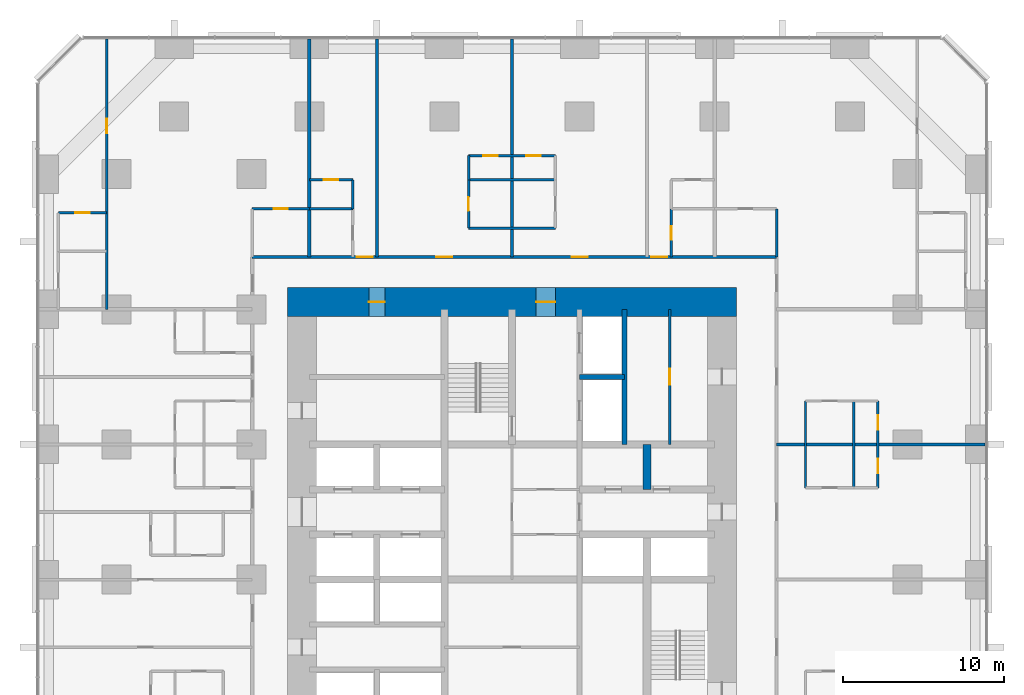
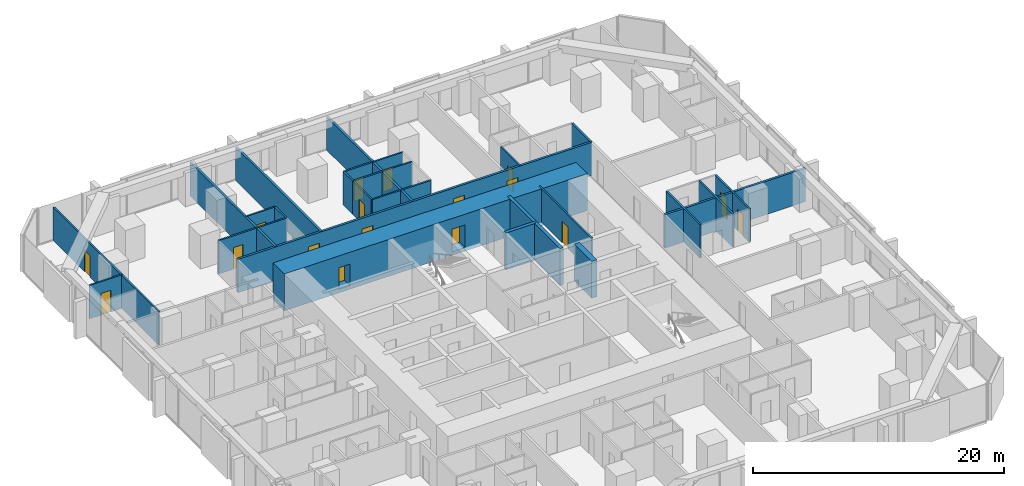
# One storey, part 15 of 17: 26 walls, 17 doors, 17 openings.
"""IFC4 building model written with IfcOpenShell, lengths in metres."""

from ifc_helpers import new_model, si_unit, direction, frame, frame_2d, origin, place, context, subcontext, project, spatial, rectangle, extrude, material, layer, layer_set, type_object, element, fill, save


model = new_model("IFC4")

# Units and contexts
model_context = context("Model", 3, precision=1e-05, world=origin(), true_north=direction((0.0, 1.0)))
body_context = subcontext(model_context, "Body", "Model", "MODEL_VIEW")
ifc_project = project(units=[si_unit("LENGTHUNIT", "METRE"), si_unit("AREAUNIT", "SQUARE_METRE"), si_unit("VOLUMEUNIT", "CUBIC_METRE"), si_unit("PLANEANGLEUNIT", "RADIAN"), si_unit("MASSUNIT", "GRAM", prefix="KILO")], contexts=[model_context])

# Site, building, storey
site_placement = place(None, origin())
site = spatial("IfcSite", under=ifc_project, at=site_placement, CompositionType="ELEMENT")
building_placement = place(site_placement, origin())
building = spatial("IfcBuilding", under=site, at=building_placement, Name="Dunama Terrace Hotel", CompositionType="ELEMENT")
storey_placement = place(building_placement, frame((0.0, 0.0, 34.199951171875)))
storey = spatial("IfcBuildingStorey", under=building, at=storey_placement, Name="L07", CompositionType="ELEMENT", Elevation=34.199951171875)

# Wall, opening, door
ifc_material_1 = material(Name="Gypsum board partition", Category="masonry")
ifc_layer_1 = layer(ifc_material_1, 0.14990234375)
ifc_layer_set_1 = layer_set([ifc_layer_1], Name="Bathroom partition 150")
wall_type_1 = type_object("IfcWallType", Name="Bathroom partition 150", PredefinedType="PARTITIONING", material=ifc_layer_set_1)
wall_1_placement = place(storey_placement, frame((26.699951171875, 47.050048828125, 0.0), z_axis=(0.0, 0.0, 1.0), x_axis=(0.0, 1.0, 0.0)))
wall_1 = element("IfcWall", 1, at=wall_1_placement, inside=storey, type_object=wall_type_1, Name="Bathroom partition 150 L07", PredefinedType="PARTITIONING", context=body_context, shape_type="SweptSolid", body=[
    extrude(rectangle(XDim=3.0, YDim=0.14990234375, at=frame_2d((1.5, 0.0))), origin(), (0.0, 0.0, 1.0), 3.25),
])
opening_1_placement = place(wall_1_placement, frame((1.074951171875, 0.0, 0.0)))
opening_1 = element("IfcOpeningElement", 2, at=opening_1_placement, cuts=wall_1, Name="Opening L07-09-034", PredefinedType="OPENING", context=body_context, shape_type="SweptSolid", body=[
    extrude(rectangle(XDim=0.85009765625, YDim=2.10009765625, at=frame_2d((0.425048828125, 1.050048828125))), frame((0.0, 0.0849609375, 0.0), z_axis=(0.0, -1.0, 0.0), x_axis=(1.0, 0.0, 0.0)), (0.0, 0.0, 1.0), 0.169921875),
])
ifc_material_2 = material(Name="Timber door with steel frame", Category="steel")
door_type_1 = type_object("IfcDoorType", Name="Bathroom door 850", OperationType="SINGLE_SWING_LEFT", PredefinedType="DOOR", material=ifc_material_2)
door_1_placement = place(opening_1_placement, frame((0.85009765625, 0.0, 0.0), z_axis=(0.0, 0.0, 1.0), x_axis=(-1.0, 0.0, 0.0)))
door_1 = element("IfcDoor", 3, at=door_1_placement, inside=storey, type_object=door_type_1, Name="Door to en-suite bathroom L07-09-034, type D2", OperationType="SINGLE_SWING_LEFT", OverallHeight=2.10009765625, OverallWidth=0.85009765625, PredefinedType="DOOR", context=body_context, shape_type="SweptSolid", body=[
    extrude(rectangle(XDim=0.85009765625, YDim=2.10009765625, at=frame_2d((0.425048828125, 1.050048828125))), frame((0.0, 0.025146484375, 0.0), z_axis=(0.0, -1.0, 0.0), x_axis=(1.0, 0.0, 0.0)), (0.0, 0.0, 1.0), 0.050048828125),
])
fill(opening_1, door_1)

wall_2_placement = place(storey_placement, frame((39.300048828125, 45.25, 0.0), z_axis=(0.0, 0.0, 1.0), x_axis=(0.0, 1.0, 0.0)))
wall_2 = element("IfcWall", 4, at=wall_2_placement, inside=storey, type_object=wall_type_1, Name="Bathroom partition 150 L07", PredefinedType="PARTITIONING", context=body_context, shape_type="SweptSolid", body=[
    extrude(rectangle(XDim=3.0, YDim=0.14990234375, at=frame_2d((1.5, 0.0))), origin(), (0.0, 0.0, 1.0), 3.25),
])
opening_2_placement = place(wall_2_placement, frame((1.074951171875, 0.0, 0.0)))
opening_2 = element("IfcOpeningElement", 5, at=opening_2_placement, cuts=wall_2, Name="Opening L07-09-040", PredefinedType="OPENING", context=body_context, shape_type="SweptSolid", body=[
    extrude(rectangle(XDim=0.85009765625, YDim=2.10009765625, at=frame_2d((0.425048828125, 1.050048828125))), frame((0.0, 0.0849609375, 0.0), z_axis=(0.0, -1.0, 0.0), x_axis=(1.0, 0.0, 0.0)), (0.0, 0.0, 1.0), 0.169921875),
])
door_2_placement = place(opening_2_placement, frame((0.85009765625, 0.0, 0.0), z_axis=(0.0, 0.0, 1.0), x_axis=(-1.0, 0.0, 0.0)))
door_2 = element("IfcDoor", 6, at=door_2_placement, inside=storey, type_object=door_type_1, Name="Door to en-suite bathroom L07-09-040, type D2", OperationType="SINGLE_SWING_RIGHT", OverallHeight=2.10009765625, OverallWidth=0.85009765625, PredefinedType="DOOR", context=body_context, shape_type="SweptSolid", body=[
    extrude(rectangle(XDim=0.85009765625, YDim=2.10009765625, at=frame_2d((0.425048828125, 1.050048828125))), frame((0.0, 0.025146484375, 0.0), z_axis=(0.0, -1.0, 0.0), x_axis=(1.0, 0.0, 0.0)), (0.0, 0.0, 1.0), 0.050048828125),
])
fill(opening_2, door_2)

# Walls
wall_3_placement = place(storey_placement, frame((45.85009765625, 45.25, 0.0), z_axis=(0.0, 0.0, 1.0), x_axis=(0.0, 1.0, 0.0)))
element("IfcWall", 7, at=wall_3_placement, inside=storey, type_object=wall_type_1, Name="Bathroom partition 150 L07", PredefinedType="PARTITIONING", context=body_context, shape_type="SweptSolid", body=[
    extrude(rectangle(XDim=3.0, YDim=0.14990234375, at=frame_2d((1.5, 0.0))), origin(), (0.0, 0.0, 1.0), 3.25),
])
for number, where, z_axis, x_axis, name in (
    (8, (47.64990234375, 30.89990234375, 0.0), (0.0, 0.0, 1.0), (0.0, 1.0, 0.0), "Bathroom partition 150 L07"),
    (9, (26.699951171875, 47.050048828125, 0.0), (0.0, 0.0, 1.0), (1.0, 0.0, 0.0), "Bathroom partition 150 L07"),
):
    element("IfcWall", number, at=place(storey_placement, frame(where, z_axis=z_axis, x_axis=x_axis)), inside=storey, type_object=wall_type_1, Name=name, PredefinedType="PARTITIONING", context=body_context, shape_type="SweptSolid", body=[
        extrude(rectangle(XDim=5.400146484375, YDim=0.14990234375, at=frame_2d((2.7001953125, 0.0))), origin(), (0.0, 0.0, 1.0), 3.25),
    ])

# Wall, opening, door
wall_4_placement = place(storey_placement, frame((13.25, 48.25, 0.0), z_axis=(0.0, 0.0, 1.0), x_axis=(1.0, 0.0, 0.0)))
wall_4 = element("IfcWall", 10, at=wall_4_placement, inside=storey, type_object=wall_type_1, Name="Bathroom partition 150 L07", PredefinedType="PARTITIONING", context=body_context, shape_type="SweptSolid", body=[
    extrude(rectangle(XDim=3.550048828125, YDim=0.14990234375, at=frame_2d((1.77490234375, 0.0))), origin(), (0.0, 0.0, 1.0), 3.25),
])
opening_3_placement = place(wall_4_placement, frame((1.35009765625, 0.0, 0.0)))
opening_3 = element("IfcOpeningElement", 11, at=opening_3_placement, cuts=wall_4, Name="Opening L07-09-074", PredefinedType="OPENING", context=body_context, shape_type="SweptSolid", body=[
    extrude(rectangle(XDim=0.85009765625, YDim=2.10009765625, at=frame_2d((0.425048828125, 1.050048828125))), frame((0.0, 0.0849609375, 0.0), z_axis=(0.0, -1.0, 0.0), x_axis=(1.0, 0.0, 0.0)), (0.0, 0.0, 1.0), 0.169921875),
])
door_3_placement = place(opening_3_placement, frame((0.85009765625, 0.0, 0.0), z_axis=(0.0, 0.0, 1.0), x_axis=(-1.0, 0.0, 0.0)))
door_3 = element("IfcDoor", 12, at=door_3_placement, inside=storey, type_object=door_type_1, Name="Door to powder room L07-09-074, type D2", OperationType="SINGLE_SWING_LEFT", OverallHeight=2.10009765625, OverallWidth=0.85009765625, PredefinedType="DOOR", context=body_context, shape_type="SweptSolid", body=[
    extrude(rectangle(XDim=0.85009765625, YDim=2.10009765625, at=frame_2d((0.425048828125, 1.050048828125))), frame((0.0, 0.025146484375, 0.0), z_axis=(0.0, -1.0, 0.0), x_axis=(1.0, 0.0, 0.0)), (0.0, 0.0, 1.0), 0.050048828125),
])
fill(opening_3, door_3)

# Walls
ifc_material_3 = material(Name="Concrete C50/60", Category="concrete")
ifc_layer_2 = layer(ifc_material_3, 0.300048828125)
ifc_layer_set_2 = layer_set([ifc_layer_2], Name="Core inner wall 300")
wall_type_2 = type_object("IfcWallType", Name="Core inner wall 300", PredefinedType="SHEAR", material=ifc_layer_set_2)
wall_5_placement = place(storey_placement, frame((36.39990234375, 33.60009765625, -0.349853515625), z_axis=(0.0, 0.0, 1.0), x_axis=(0.0, 1.0, 0.0)))
element("IfcWall", 13, at=wall_5_placement, inside=storey, type_object=wall_type_2, Name="Core inner wall 300 L07", PredefinedType="SHEAR", context=body_context, shape_type="SweptSolid", body=[
    extrude(rectangle(XDim=8.39990234375, YDim=0.300048828125, at=frame_2d((4.199951171875, 0.0))), origin(), (0.0, 0.0, 1.0), 3.599853515625),
])
wall_6_placement = place(storey_placement, frame((33.60009765625, 37.800048828125, -0.349853515625), z_axis=(0.0, 0.0, 1.0), x_axis=(1.0, 0.0, 0.0)))
element("IfcWall", 14, at=wall_6_placement, inside=storey, type_object=wall_type_2, Name="Core inner wall 300 L07", PredefinedType="SHEAR", context=body_context, shape_type="SweptSolid", body=[
    extrude(rectangle(XDim=2.7998046875, YDim=0.300048828125, at=frame_2d((1.39990234375, 0.0))), origin(), (0.0, 0.0, 1.0), 3.599853515625),
])
ifc_material_4 = material(Name="Concrete C50/60", Category="concrete")
ifc_layer_3 = layer(ifc_material_4, 0.5)
ifc_layer_set_3 = layer_set([ifc_layer_3], Name="Core inner wall 500")
wall_type_3 = type_object("IfcWallType", Name="Core inner wall 500", PredefinedType="SHEAR", material=ifc_layer_set_3)
wall_7_placement = place(storey_placement, frame((37.800048828125, 30.800048828125, -0.349853515625), z_axis=(0.0, 0.0, 1.0), x_axis=(0.0, 1.0, 0.0)))
element("IfcWall", 15, at=wall_7_placement, inside=storey, type_object=wall_type_3, Name="Core inner wall 500 L07", PredefinedType="SHEAR", context=body_context, shape_type="SweptSolid", body=[
    extrude(rectangle(XDim=2.800048828125, YDim=0.5, at=frame_2d((1.39990234375, 0.0))), origin(), (0.0, 0.0, 1.0), 3.599853515625),
])

# Wall, openings, doors
ifc_material_5 = material(Name="Concrete C60/75", Category="concrete")
ifc_layer_4 = layer(ifc_material_5, 1.800048828125)
ifc_layer_set_4 = layer_set([ifc_layer_4], Name="Core wall 1800")
wall_type_4 = type_object("IfcWallType", Name="Core wall 1800", PredefinedType="SHEAR", material=ifc_layer_set_4)
wall_8_placement = place(storey_placement, frame((43.35009765625, 42.449951171875, -0.349853515625), z_axis=(0.0, 0.0, 1.0), x_axis=(-1.0, 0.0, 0.0)))
wall_8 = element("IfcWall", 16, at=wall_8_placement, inside=storey, type_object=wall_type_4, Name="Core wall north L07", PredefinedType="SHEAR", context=body_context, shape_type="SweptSolid", body=[
    extrude(rectangle(XDim=27.900146484375, YDim=1.800048828125, at=frame_2d((13.9501953125, 0.0))), origin(), (0.0, 0.0, 1.0), 3.599853515625),
])
opening_4_placement = place(wall_8_placement, frame((21.85009765625, 0.0, 0.35009765625)))
opening_4 = element("IfcOpeningElement", 17, at=opening_4_placement, cuts=wall_8, Name="Opening L07-09-081", PredefinedType="OPENING", context=body_context, shape_type="SweptSolid", body=[
    extrude(rectangle(XDim=1.0, YDim=2.10009765625, at=frame_2d((0.5, 1.050048828125))), frame((0.0, 0.909912109375, 0.0), z_axis=(0.0, -1.0, 0.0), x_axis=(1.0, 0.0, 0.0)), (0.0, 0.0, 1.0), 1.820068359375),
])
opening_5_placement = place(wall_8_placement, frame((11.25, 0.0, 0.35009765625)))
opening_5 = element("IfcOpeningElement", 18, at=opening_5_placement, cuts=wall_8, Name="Opening L07-09-089", PredefinedType="OPENING", context=body_context, shape_type="SweptSolid", body=[
    extrude(rectangle(XDim=1.199951171875, YDim=2.199951171875, at=frame_2d((0.60009765625, 1.10009765625))), frame((0.0, 0.909912109375, 0.0), z_axis=(0.0, -1.0, 0.0), x_axis=(1.0, 0.0, 0.0)), (0.0, 0.0, 1.0), 1.820068359375),
])
ifc_material_6 = material(Name="Timber door with steel frame", Category="steel")
door_type_2 = type_object("IfcDoorType", Name="Firefighting lobby door 1200", OperationType="SINGLE_SWING_LEFT", PredefinedType="DOOR", material=ifc_material_6)
door_4_placement = place(opening_5_placement, origin())
door_4 = element("IfcDoor", 19, at=door_4_placement, inside=storey, type_object=door_type_2, Name="Door to firefighting lobby L07-09-089, type D4", OperationType="SINGLE_SWING_RIGHT", OverallHeight=2.199951171875, OverallWidth=1.199951171875, PredefinedType="DOOR", context=body_context, shape_type="SweptSolid", body=[
    extrude(rectangle(XDim=1.199951171875, YDim=2.199951171875, at=frame_2d((0.60009765625, 1.10009765625))), frame((0.0, 0.02490234375, 0.0), z_axis=(0.0, -1.0, 0.0), x_axis=(1.0, 0.0, 0.0)), (0.0, 0.0, 1.0), 0.050048828125),
])
fill(opening_5, door_4)
ifc_material_7 = material(Name="Timber door with steel frame", Category="steel")
door_type_3 = type_object("IfcDoorType", Name="Service door 1000", OperationType="SINGLE_SWING_LEFT", PredefinedType="DOOR", material=ifc_material_7)
door_5_placement = place(opening_4_placement, origin())
door_5 = element("IfcDoor", 20, at=door_5_placement, inside=storey, type_object=door_type_3, Name="Door to communications and riser room L07-09-081, type D7", OperationType="SINGLE_SWING_LEFT", OverallHeight=2.10009765625, OverallWidth=1.0, PredefinedType="DOOR", context=body_context, shape_type="SweptSolid", body=[
    extrude(rectangle(XDim=1.0, YDim=2.10009765625, at=frame_2d((0.5, 1.050048828125))), frame((0.0, 0.02490234375, 0.0), z_axis=(0.0, -1.0, 0.0), x_axis=(1.0, 0.0, 0.0)), (0.0, 0.0, 1.0), 0.050048828125),
])
fill(opening_4, door_5)

ifc_material_8 = material(Name="Concrete blockwork", Category="masonry")
ifc_layer_5 = layer(ifc_material_8, 0.199951171875)
ifc_layer_set_5 = layer_set([ifc_layer_5], Name="Corridor partition 200")
wall_type_5 = type_object("IfcWallType", Name="Corridor partition 200", PredefinedType="PARTITIONING", material=ifc_layer_set_5)
wall_9_placement = place(storey_placement, frame((13.25, 45.25, 0.0), z_axis=(0.0, 0.0, 1.0), x_axis=(1.0, 0.0, 0.0)))
wall_9 = element("IfcWall", 21, at=wall_9_placement, inside=storey, type_object=wall_type_5, Name="Corridor partition 200 L07", PredefinedType="PARTITIONING", context=body_context, shape_type="SweptSolid", body=[
    extrude(rectangle(XDim=32.60009765625, YDim=0.199951171875, at=frame_2d((16.300048828125, 0.0))), origin(), (0.0, 0.0, 1.0), 3.25),
])
opening_6_placement = place(wall_9_placement, frame((6.5, 0.0, 0.0)))
opening_6 = element("IfcOpeningElement", 22, at=opening_6_placement, cuts=wall_9, Name="Opening L07-09-030", PredefinedType="OPENING", context=body_context, shape_type="SweptSolid", body=[
    extrude(rectangle(XDim=1.0, YDim=2.199951171875, at=frame_2d((0.5, 1.10009765625))), frame((0.0, 0.10986328125, 0.0), z_axis=(0.0, -1.0, 0.0), x_axis=(1.0, 0.0, 0.0)), (0.0, 0.0, 1.0), 0.219970703125),
])
opening_7_placement = place(wall_9_placement, frame((11.449951171875, 0.0, 0.0)))
opening_7 = element("IfcOpeningElement", 23, at=opening_7_placement, cuts=wall_9, Name="Opening L07-09-033", PredefinedType="OPENING", context=body_context, shape_type="SweptSolid", body=[
    extrude(rectangle(XDim=1.0, YDim=2.199951171875, at=frame_2d((0.5, 1.10009765625))), frame((0.0, 0.10986328125, 0.0), z_axis=(0.0, -1.0, 0.0), x_axis=(1.0, 0.0, 0.0)), (0.0, 0.0, 1.0), 0.219970703125),
])
opening_8_placement = place(wall_9_placement, frame((19.85009765625, 0.0, 0.0)))
opening_8 = element("IfcOpeningElement", 24, at=opening_8_placement, cuts=wall_9, Name="Opening L07-09-036", PredefinedType="OPENING", context=body_context, shape_type="SweptSolid", body=[
    extrude(rectangle(XDim=1.0, YDim=2.199951171875, at=frame_2d((0.5, 1.10009765625))), frame((0.0, 0.10986328125, 0.0), z_axis=(0.0, -1.0, 0.0), x_axis=(1.0, 0.0, 0.0)), (0.0, 0.0, 1.0), 0.219970703125),
])
opening_9_placement = place(wall_9_placement, frame((24.800048828125, 0.0, 0.0)))
opening_9 = element("IfcOpeningElement", 25, at=opening_9_placement, cuts=wall_9, Name="Opening L07-09-039", PredefinedType="OPENING", context=body_context, shape_type="SweptSolid", body=[
    extrude(rectangle(XDim=1.0, YDim=2.199951171875, at=frame_2d((0.5, 1.10009765625))), frame((0.0, 0.10986328125, 0.0), z_axis=(0.0, -1.0, 0.0), x_axis=(1.0, 0.0, 0.0)), (0.0, 0.0, 1.0), 0.219970703125),
])
ifc_material_9 = material(Name="Timber door with steel frame", Category="steel")
door_type_4 = type_object("IfcDoorType", Name="Guest room door 1000", OperationType="SINGLE_SWING_LEFT", PredefinedType="DOOR", material=ifc_material_9)
door_6_placement = place(opening_6_placement, origin())
door_6 = element("IfcDoor", 26, at=door_6_placement, inside=storey, type_object=door_type_4, Name="Door to deluxe room L07-09-030, type D1", OperationType="SINGLE_SWING_RIGHT", OverallHeight=2.199951171875, OverallWidth=1.0, PredefinedType="DOOR", context=body_context, shape_type="SweptSolid", body=[
    extrude(rectangle(XDim=1.0, YDim=2.199951171875, at=frame_2d((0.5, 1.10009765625))), frame((0.0, 0.02490234375, 0.0), z_axis=(0.0, -1.0, 0.0), x_axis=(1.0, 0.0, 0.0)), (0.0, 0.0, 1.0), 0.050048828125),
])
fill(opening_6, door_6)
door_7_placement = place(opening_7_placement, origin())
door_7 = element("IfcDoor", 27, at=door_7_placement, inside=storey, type_object=door_type_4, Name="Door to junior suite L07-09-033, type D1", OperationType="SINGLE_SWING_RIGHT", OverallHeight=2.199951171875, OverallWidth=1.0, PredefinedType="DOOR", context=body_context, shape_type="SweptSolid", body=[
    extrude(rectangle(XDim=1.0, YDim=2.199951171875, at=frame_2d((0.5, 1.10009765625))), frame((0.0, 0.02490234375, 0.0), z_axis=(0.0, -1.0, 0.0), x_axis=(1.0, 0.0, 0.0)), (0.0, 0.0, 1.0), 0.050048828125),
])
fill(opening_7, door_7)
door_8_placement = place(opening_8_placement, origin())
door_8 = element("IfcDoor", 28, at=door_8_placement, inside=storey, type_object=door_type_4, Name="Door to junior suite L07-09-036, type D1", OperationType="SINGLE_SWING_LEFT", OverallHeight=2.199951171875, OverallWidth=1.0, PredefinedType="DOOR", context=body_context, shape_type="SweptSolid", body=[
    extrude(rectangle(XDim=1.0, YDim=2.199951171875, at=frame_2d((0.5, 1.10009765625))), frame((0.0, 0.02490234375, 0.0), z_axis=(0.0, -1.0, 0.0), x_axis=(1.0, 0.0, 0.0)), (0.0, 0.0, 1.0), 0.050048828125),
])
fill(opening_8, door_8)
door_9_placement = place(opening_9_placement, origin())
door_9 = element("IfcDoor", 29, at=door_9_placement, inside=storey, type_object=door_type_4, Name="Door to deluxe room L07-09-039, type D1", OperationType="SINGLE_SWING_LEFT", OverallHeight=2.199951171875, OverallWidth=1.0, PredefinedType="DOOR", context=body_context, shape_type="SweptSolid", body=[
    extrude(rectangle(XDim=1.0, YDim=2.199951171875, at=frame_2d((0.5, 1.10009765625))), frame((0.0, 0.02490234375, 0.0), z_axis=(0.0, -1.0, 0.0), x_axis=(1.0, 0.0, 0.0)), (0.0, 0.0, 1.0), 0.050048828125),
])
fill(opening_9, door_9)

# Walls
ifc_material_10 = material(Name="Concrete blockwork", Category="masonry")
ifc_layer_6 = layer(ifc_material_10, 0.199951171875)
ifc_layer_set_6 = layer_set([ifc_layer_6], Name="Party wall 200")
wall_type_6 = type_object("IfcWallType", Name="Party wall 200", PredefinedType="PARTITIONING", material=ifc_layer_set_6)
for number, where, z_axis, x_axis, name in (
    (30, (16.800048828125, 45.25, 0.0), (0.0, 0.0, 1.0), (0.0, 1.0, 0.0), "Party wall 200 L07"),
    (31, (21.0, 45.25, 0.0), (0.0, 0.0, 1.0), (0.0, 1.0, 0.0), "Party wall 200 L07"),
    (32, (29.39990234375, 45.25, 0.0), (0.0, 0.0, 1.0), (0.0, 1.0, 0.0), "Party wall 200 L07"),
):
    element("IfcWall", number, at=place(storey_placement, frame(where, z_axis=z_axis, x_axis=x_axis)), inside=storey, type_object=wall_type_6, Name=name, PredefinedType="PARTITIONING", context=body_context, shape_type="SweptSolid", body=[
        extrude(rectangle(XDim=13.55810546875, YDim=0.199951171875, at=frame_2d((6.779052734375, 0.0))), origin(), (0.0, 0.0, 1.0), 3.25),
    ])
wall_10_placement = place(storey_placement, frame((45.85009765625, 33.60009765625, 0.0), z_axis=(0.0, 0.0, 1.0), x_axis=(1.0, 0.0, 0.0)))
element("IfcWall", 33, at=wall_10_placement, inside=storey, type_object=wall_type_6, Name="Party wall 200 L07", PredefinedType="PARTITIONING", context=body_context, shape_type="SweptSolid", body=[
    extrude(rectangle(XDim=12.9580078125, YDim=0.199951171875, at=frame_2d((6.47900390625, 0.0))), origin(), (0.0, 0.0, 1.0), 3.25),
])

# Wall, opening, door
ifc_material_11 = material(Name="Gypsum board partition", Category="masonry")
ifc_layer_7 = layer(ifc_material_11, 0.14990234375)
ifc_layer_set_7 = layer_set([ifc_layer_7], Name="Room partition 150")
wall_type_7 = type_object("IfcWallType", Name="Room partition 150", PredefinedType="PARTITIONING", material=ifc_layer_set_7)
wall_11_placement = place(storey_placement, frame((4.199951171875, 42.0, 0.0), z_axis=(0.0, 0.0, 1.0), x_axis=(0.0, 1.0, 0.0)))
wall_11 = element("IfcWall", 34, at=wall_11_placement, inside=storey, type_object=wall_type_7, Name="Room partition 150 L07", PredefinedType="PARTITIONING", context=body_context, shape_type="SweptSolid", body=[
    extrude(rectangle(XDim=16.80810546875, YDim=0.14990234375, at=frame_2d((8.404052734375, 0.0))), origin(), (0.0, 0.0, 1.0), 3.25),
])
opening_10_placement = place(wall_11_placement, frame((10.949951171875, 0.0, 0.0)))
opening_10 = element("IfcOpeningElement", 35, at=opening_10_placement, cuts=wall_11, Name="Opening L07-09-075", PredefinedType="OPENING", context=body_context, shape_type="SweptSolid", body=[
    extrude(rectangle(XDim=0.89990234375, YDim=2.10009765625, at=frame_2d((0.449951171875, 1.050048828125))), frame((0.0, 0.0849609375, 0.0), z_axis=(0.0, -1.0, 0.0), x_axis=(1.0, 0.0, 0.0)), (0.0, 0.0, 1.0), 0.169921875),
])
ifc_material_12 = material(Name="Timber door with steel frame", Category="steel")
door_type_5 = type_object("IfcDoorType", Name="Suite internal door 900", OperationType="SINGLE_SWING_LEFT", PredefinedType="DOOR", material=ifc_material_12)
door_10_placement = place(opening_10_placement, origin())
door_10 = element("IfcDoor", 36, at=door_10_placement, inside=storey, type_object=door_type_5, Name="Door to corner suite bedroom L07-09-075, type D16", OperationType="SINGLE_SWING_LEFT", OverallHeight=2.10009765625, OverallWidth=0.89990234375, PredefinedType="DOOR", context=body_context, shape_type="SweptSolid", body=[
    extrude(rectangle(XDim=0.89990234375, YDim=2.10009765625, at=frame_2d((0.449951171875, 1.050048828125))), frame((0.0, 0.02490234375, 0.0), z_axis=(0.0, -1.0, 0.0), x_axis=(1.0, 0.0, 0.0)), (0.0, 0.0, 1.0), 0.050048828125),
])
fill(opening_10, door_10)

# Walls
wall_12_placement = place(storey_placement, frame((19.5, 48.25, 0.0), z_axis=(0.0, 0.0, 1.0), x_axis=(0.0, 1.0, 0.0)))
element("IfcWall", 37, at=wall_12_placement, inside=storey, type_object=wall_type_7, Name="Room partition 150 L07", PredefinedType="PARTITIONING", context=body_context, shape_type="SweptSolid", body=[
    extrude(rectangle(XDim=1.800048828125, YDim=0.14990234375, at=frame_2d((0.89990234375, 0.0))), origin(), (0.0, 0.0, 1.0), 3.25),
])
wall_13_placement = place(storey_placement, frame((26.699951171875, 50.050048828125, 0.0), z_axis=(0.0, 0.0, 1.0), x_axis=(0.0, 1.0, 0.0)))
element("IfcWall", 38, at=wall_13_placement, inside=storey, type_object=wall_type_7, Name="Room partition 150 L07", PredefinedType="PARTITIONING", context=body_context, shape_type="SweptSolid", body=[
    extrude(rectangle(XDim=1.5, YDim=0.14990234375, at=frame_2d((0.75, 0.0))), origin(), (0.0, 0.0, 1.0), 3.25),
])

# Wall, opening, door
wall_14_placement = place(storey_placement, frame((39.199951171875, 33.60009765625, 0.0), z_axis=(0.0, 0.0, 1.0), x_axis=(0.0, 1.0, 0.0)))
wall_14 = element("IfcWall", 39, at=wall_14_placement, inside=storey, type_object=wall_type_7, Name="Room partition 150 L07", PredefinedType="PARTITIONING", context=body_context, shape_type="SweptSolid", body=[
    extrude(rectangle(XDim=8.39990234375, YDim=0.14990234375, at=frame_2d((4.199951171875, 0.0))), origin(), (0.0, 0.0, 1.0), 3.25),
])
opening_11_placement = place(wall_14_placement, frame((3.699951171875, 0.0, 0.0)))
opening_11 = element("IfcOpeningElement", 40, at=opening_11_placement, cuts=wall_14, Name="Opening L07-09-091", PredefinedType="OPENING", context=body_context, shape_type="SweptSolid", body=[
    extrude(rectangle(XDim=1.0, YDim=2.10009765625, at=frame_2d((0.5, 1.050048828125))), frame((0.0, 0.0849609375, 0.0), z_axis=(0.0, -1.0, 0.0), x_axis=(1.0, 0.0, 0.0)), (0.0, 0.0, 1.0), 0.169921875),
])
door_11_placement = place(opening_11_placement, frame((1.0, 0.0, 0.0), z_axis=(0.0, 0.0, 1.0), x_axis=(-1.0, 0.0, 0.0)))
door_11 = element("IfcDoor", 41, at=door_11_placement, inside=storey, type_object=door_type_3, Name="Door to guest amenities store L07-09-091, type D7", OperationType="SINGLE_SWING_RIGHT", OverallHeight=2.10009765625, OverallWidth=1.0, PredefinedType="DOOR", context=body_context, shape_type="SweptSolid", body=[
    extrude(rectangle(XDim=1.0, YDim=2.10009765625, at=frame_2d((0.5, 1.050048828125))), frame((0.0, 0.025146484375, 0.0), z_axis=(0.0, -1.0, 0.0), x_axis=(1.0, 0.0, 0.0)), (0.0, 0.0, 1.0), 0.050048828125),
])
fill(opening_11, door_11)

# Wall
wall_15_placement = place(storey_placement, frame((50.64990234375, 30.89990234375, 0.0), z_axis=(0.0, 0.0, 1.0), x_axis=(0.0, 1.0, 0.0)))
element("IfcWall", 42, at=wall_15_placement, inside=storey, type_object=wall_type_7, Name="Room partition 150 L07", PredefinedType="PARTITIONING", context=body_context, shape_type="SweptSolid", body=[
    extrude(rectangle(XDim=5.400146484375, YDim=0.14990234375, at=frame_2d((2.7001953125, 0.0))), origin(), (0.0, 0.0, 1.0), 3.25),
])

# Wall, openings, doors
wall_16_placement = place(storey_placement, frame((52.14990234375, 30.89990234375, 0.0), z_axis=(0.0, 0.0, 1.0), x_axis=(0.0, 1.0, 0.0)))
wall_16 = element("IfcWall", 43, at=wall_16_placement, inside=storey, type_object=wall_type_7, Name="Room partition 150 L07", PredefinedType="PARTITIONING", context=body_context, shape_type="SweptSolid", body=[
    extrude(rectangle(XDim=5.400146484375, YDim=0.14990234375, at=frame_2d((2.7001953125, 0.0))), origin(), (0.0, 0.0, 1.0), 3.25),
])
opening_12_placement = place(wall_16_placement, frame((0.89990234375, 0.0, 0.0)))
opening_12 = element("IfcOpeningElement", 44, at=opening_12_placement, cuts=wall_16, Name="Opening L07-09-026", PredefinedType="OPENING", context=body_context, shape_type="SweptSolid", body=[
    extrude(rectangle(XDim=0.89990234375, YDim=2.10009765625, at=frame_2d((0.449951171875, 1.050048828125))), frame((0.0, 0.0849609375, 0.0), z_axis=(0.0, -1.0, 0.0), x_axis=(1.0, 0.0, 0.0)), (0.0, 0.0, 1.0), 0.169921875),
])
opening_13_placement = place(wall_16_placement, frame((3.60009765625, 0.0, 0.0)))
opening_13 = element("IfcOpeningElement", 45, at=opening_13_placement, cuts=wall_16, Name="Opening L07-09-029", PredefinedType="OPENING", context=body_context, shape_type="SweptSolid", body=[
    extrude(rectangle(XDim=0.89990234375, YDim=2.10009765625, at=frame_2d((0.449951171875, 1.050048828125))), frame((0.0, 0.0849609375, 0.0), z_axis=(0.0, -1.0, 0.0), x_axis=(1.0, 0.0, 0.0)), (0.0, 0.0, 1.0), 0.169921875),
])
door_12_placement = place(opening_12_placement, origin())
door_12 = element("IfcDoor", 46, at=door_12_placement, inside=storey, type_object=door_type_5, Name="Door to walk-in wardrobe L07-09-026, type D16", OperationType="SINGLE_SWING_LEFT", OverallHeight=2.10009765625, OverallWidth=0.89990234375, PredefinedType="DOOR", context=body_context, shape_type="SweptSolid", body=[
    extrude(rectangle(XDim=0.89990234375, YDim=2.10009765625, at=frame_2d((0.449951171875, 1.050048828125))), frame((0.0, 0.02490234375, 0.0), z_axis=(0.0, -1.0, 0.0), x_axis=(1.0, 0.0, 0.0)), (0.0, 0.0, 1.0), 0.050048828125),
])
fill(opening_12, door_12)
door_13_placement = place(opening_13_placement, origin())
door_13 = element("IfcDoor", 47, at=door_13_placement, inside=storey, type_object=door_type_5, Name="Door to walk-in wardrobe L07-09-029, type D16", OperationType="SINGLE_SWING_LEFT", OverallHeight=2.10009765625, OverallWidth=0.89990234375, PredefinedType="DOOR", context=body_context, shape_type="SweptSolid", body=[
    extrude(rectangle(XDim=0.89990234375, YDim=2.10009765625, at=frame_2d((0.449951171875, 1.050048828125))), frame((0.0, 0.02490234375, 0.0), z_axis=(0.0, -1.0, 0.0), x_axis=(1.0, 0.0, 0.0)), (0.0, 0.0, 1.0), 0.050048828125),
])
fill(opening_13, door_13)

# Wall, opening, door
wall_17_placement = place(storey_placement, frame((1.199951171875, 48.0, 0.0), z_axis=(0.0, 0.0, 1.0), x_axis=(1.0, 0.0, 0.0)))
wall_17 = element("IfcWall", 48, at=wall_17_placement, inside=storey, type_object=wall_type_7, Name="Room partition 150 L07", PredefinedType="PARTITIONING", context=body_context, shape_type="SweptSolid", body=[
    extrude(rectangle(XDim=3.0, YDim=0.14990234375, at=frame_2d((1.5, 0.0))), origin(), (0.0, 0.0, 1.0), 3.25),
])
opening_14_placement = place(wall_17_placement, frame((1.050048828125, 0.0, 0.0)))
opening_14 = element("IfcOpeningElement", 49, at=opening_14_placement, cuts=wall_17, Name="Opening L07-09-077", PredefinedType="OPENING", context=body_context, shape_type="SweptSolid", body=[
    extrude(rectangle(XDim=0.89990234375, YDim=2.10009765625, at=frame_2d((0.449951171875, 1.050048828125))), frame((0.0, 0.0849609375, 0.0), z_axis=(0.0, -1.0, 0.0), x_axis=(1.0, 0.0, 0.0)), (0.0, 0.0, 1.0), 0.169921875),
])
door_14_placement = place(opening_14_placement, frame((0.89990234375, 0.0, 0.0), z_axis=(0.0, 0.0, 1.0), x_axis=(-1.0, 0.0, 0.0)))
door_14 = element("IfcDoor", 50, at=door_14_placement, inside=storey, type_object=door_type_5, Name="Door to dressing room L07-09-077, type D16", OperationType="SINGLE_SWING_RIGHT", OverallHeight=2.10009765625, OverallWidth=0.89990234375, PredefinedType="DOOR", context=body_context, shape_type="SweptSolid", body=[
    extrude(rectangle(XDim=0.89990234375, YDim=2.10009765625, at=frame_2d((0.449951171875, 1.050048828125))), frame((0.0, 0.025146484375, 0.0), z_axis=(0.0, -1.0, 0.0), x_axis=(1.0, 0.0, 0.0)), (0.0, 0.0, 1.0), 0.050048828125),
])
fill(opening_14, door_14)

# Wall
wall_18_placement = place(storey_placement, frame((16.800048828125, 48.25, 0.0), z_axis=(0.0, 0.0, 1.0), x_axis=(1.0, 0.0, 0.0)))
element("IfcWall", 51, at=wall_18_placement, inside=storey, type_object=wall_type_7, Name="Room partition 150 L07", PredefinedType="PARTITIONING", context=body_context, shape_type="SweptSolid", body=[
    extrude(rectangle(XDim=2.699951171875, YDim=0.14990234375, at=frame_2d((1.35009765625, 0.0))), origin(), (0.0, 0.0, 1.0), 3.25),
])

# Wall, opening, door
wall_19_placement = place(storey_placement, frame((16.800048828125, 50.050048828125, 0.0), z_axis=(0.0, 0.0, 1.0), x_axis=(1.0, 0.0, 0.0)))
wall_19 = element("IfcWall", 52, at=wall_19_placement, inside=storey, type_object=wall_type_7, Name="Room partition 150 L07", PredefinedType="PARTITIONING", context=body_context, shape_type="SweptSolid", body=[
    extrude(rectangle(XDim=2.699951171875, YDim=0.14990234375, at=frame_2d((1.35009765625, 0.0))), origin(), (0.0, 0.0, 1.0), 3.25),
])
opening_15_placement = place(wall_19_placement, frame((0.89990234375, 0.0, 0.0)))
opening_15 = element("IfcOpeningElement", 53, at=opening_15_placement, cuts=wall_19, Name="Opening L07-09-032", PredefinedType="OPENING", context=body_context, shape_type="SweptSolid", body=[
    extrude(rectangle(XDim=0.89990234375, YDim=2.10009765625, at=frame_2d((0.449951171875, 1.050048828125))), frame((0.0, 0.0849609375, 0.0), z_axis=(0.0, -1.0, 0.0), x_axis=(1.0, 0.0, 0.0)), (0.0, 0.0, 1.0), 0.169921875),
])
door_15_placement = place(opening_15_placement, frame((0.89990234375, 0.0, 0.0), z_axis=(0.0, 0.0, 1.0), x_axis=(-1.0, 0.0, 0.0)))
door_15 = element("IfcDoor", 54, at=door_15_placement, inside=storey, type_object=door_type_5, Name="Door to walk-in wardrobe L07-09-032, type D16", OperationType="SINGLE_SWING_RIGHT", OverallHeight=2.10009765625, OverallWidth=0.89990234375, PredefinedType="DOOR", context=body_context, shape_type="SweptSolid", body=[
    extrude(rectangle(XDim=0.89990234375, YDim=2.10009765625, at=frame_2d((0.449951171875, 1.050048828125))), frame((0.0, 0.025146484375, 0.0), z_axis=(0.0, -1.0, 0.0), x_axis=(1.0, 0.0, 0.0)), (0.0, 0.0, 1.0), 0.050048828125),
])
fill(opening_15, door_15)

# Wall
wall_20_placement = place(storey_placement, frame((26.699951171875, 50.050048828125, 0.0), z_axis=(0.0, 0.0, 1.0), x_axis=(1.0, 0.0, 0.0)))
element("IfcWall", 55, at=wall_20_placement, inside=storey, type_object=wall_type_7, Name="Room partition 150 L07", PredefinedType="PARTITIONING", context=body_context, shape_type="SweptSolid", body=[
    extrude(rectangle(XDim=5.400146484375, YDim=0.14990234375, at=frame_2d((2.7001953125, 0.0))), origin(), (0.0, 0.0, 1.0), 3.25),
])

# Wall, openings, doors
wall_21_placement = place(storey_placement, frame((26.699951171875, 51.550048828125, 0.0), z_axis=(0.0, 0.0, 1.0), x_axis=(1.0, 0.0, 0.0)))
wall_21 = element("IfcWall", 56, at=wall_21_placement, inside=storey, type_object=wall_type_7, Name="Room partition 150 L07", PredefinedType="PARTITIONING", context=body_context, shape_type="SweptSolid", body=[
    extrude(rectangle(XDim=5.400146484375, YDim=0.14990234375, at=frame_2d((2.7001953125, 0.0))), origin(), (0.0, 0.0, 1.0), 3.25),
])
opening_16_placement = place(wall_21_placement, frame((0.89990234375, 0.0, 0.0)))
opening_16 = element("IfcOpeningElement", 57, at=opening_16_placement, cuts=wall_21, Name="Opening L07-09-035", PredefinedType="OPENING", context=body_context, shape_type="SweptSolid", body=[
    extrude(rectangle(XDim=0.89990234375, YDim=2.10009765625, at=frame_2d((0.449951171875, 1.050048828125))), frame((0.0, 0.0849609375, 0.0), z_axis=(0.0, -1.0, 0.0), x_axis=(1.0, 0.0, 0.0)), (0.0, 0.0, 1.0), 0.169921875),
])
opening_17_placement = place(wall_21_placement, frame((3.60009765625, 0.0, 0.0)))
opening_17 = element("IfcOpeningElement", 58, at=opening_17_placement, cuts=wall_21, Name="Opening L07-09-038", PredefinedType="OPENING", context=body_context, shape_type="SweptSolid", body=[
    extrude(rectangle(XDim=0.89990234375, YDim=2.10009765625, at=frame_2d((0.449951171875, 1.050048828125))), frame((0.0, 0.0849609375, 0.0), z_axis=(0.0, -1.0, 0.0), x_axis=(1.0, 0.0, 0.0)), (0.0, 0.0, 1.0), 0.169921875),
])
door_16_placement = place(opening_16_placement, frame((0.89990234375, 0.0, 0.0), z_axis=(0.0, 0.0, 1.0), x_axis=(-1.0, 0.0, 0.0)))
door_16 = element("IfcDoor", 59, at=door_16_placement, inside=storey, type_object=door_type_5, Name="Door to walk-in wardrobe L07-09-035, type D16", OperationType="SINGLE_SWING_RIGHT", OverallHeight=2.10009765625, OverallWidth=0.89990234375, PredefinedType="DOOR", context=body_context, shape_type="SweptSolid", body=[
    extrude(rectangle(XDim=0.89990234375, YDim=2.10009765625, at=frame_2d((0.449951171875, 1.050048828125))), frame((0.0, 0.025146484375, 0.0), z_axis=(0.0, -1.0, 0.0), x_axis=(1.0, 0.0, 0.0)), (0.0, 0.0, 1.0), 0.050048828125),
])
fill(opening_16, door_16)
door_17_placement = place(opening_17_placement, frame((0.89990234375, 0.0, 0.0), z_axis=(0.0, 0.0, 1.0), x_axis=(-1.0, 0.0, 0.0)))
door_17 = element("IfcDoor", 60, at=door_17_placement, inside=storey, type_object=door_type_5, Name="Door to walk-in wardrobe L07-09-038, type D16", OperationType="SINGLE_SWING_RIGHT", OverallHeight=2.10009765625, OverallWidth=0.89990234375, PredefinedType="DOOR", context=body_context, shape_type="SweptSolid", body=[
    extrude(rectangle(XDim=0.89990234375, YDim=2.10009765625, at=frame_2d((0.449951171875, 1.050048828125))), frame((0.0, 0.025146484375, 0.0), z_axis=(0.0, -1.0, 0.0), x_axis=(1.0, 0.0, 0.0)), (0.0, 0.0, 1.0), 0.050048828125),
])
fill(opening_17, door_17)

save(model, "model.ifc")
